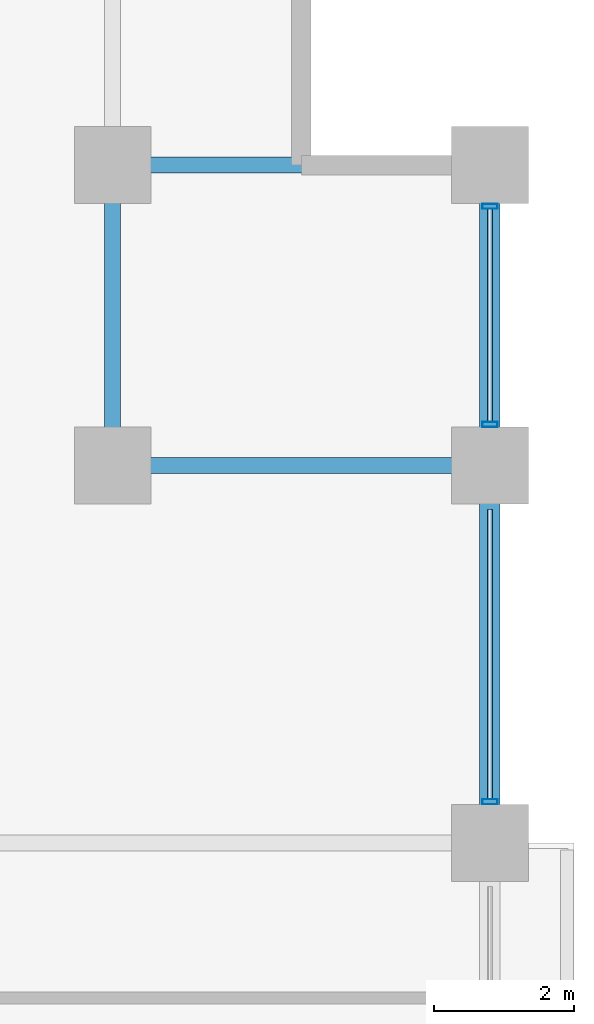
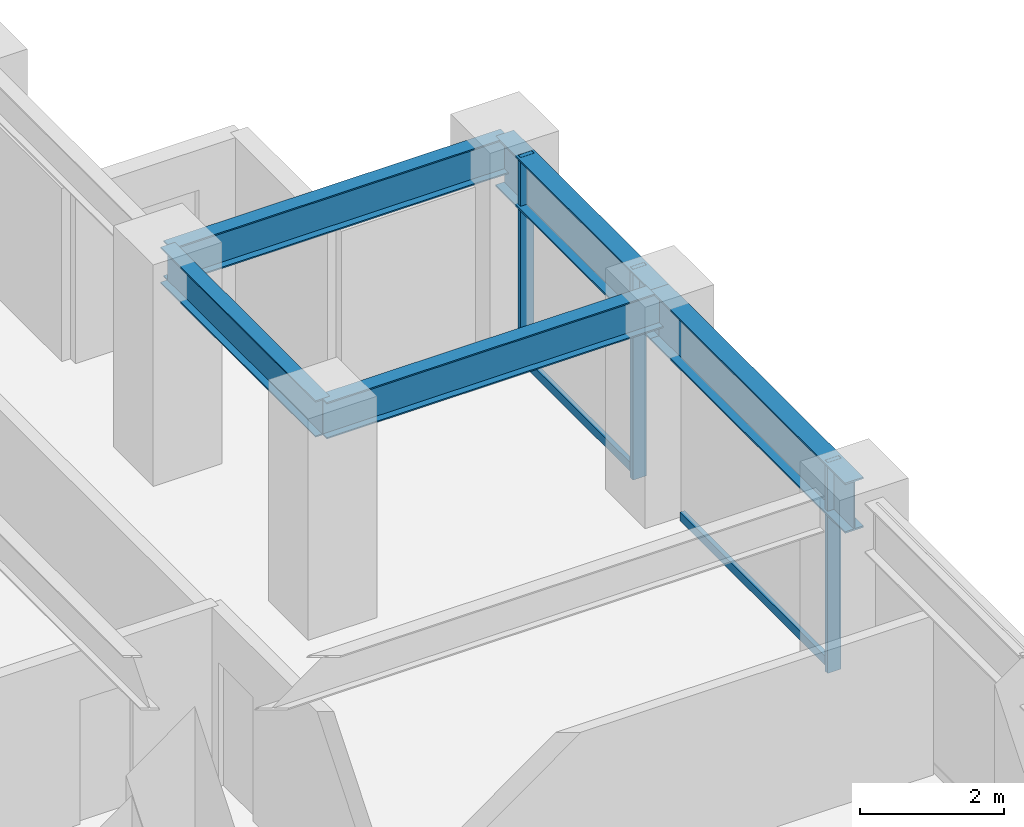
# One storey, part 15 of 24: 5 beams, 5 members, 1 element without a shape of its own.
"""IFC4 building model written with IfcOpenShell, lengths in metres."""

from ifc_helpers import new_model, si_unit, direction, frame, origin, origin_2d, place, context, subcontext, project, spatial, hollow_rectangle, i_section, extrude, material, layer, layer_set, material_profile, profile_set, type_object, element, aggregate, save


model = new_model("IFC4")

# Units and contexts
model_context = context("Model", 3, precision=1e-05, world=origin(), true_north=direction((0.0, 1.0)))
body_context = subcontext(model_context, "Body", "Model", "MODEL_VIEW")
ifc_project = project(units=[si_unit("LENGTHUNIT", "METRE"), si_unit("AREAUNIT", "SQUARE_METRE"), si_unit("VOLUMEUNIT", "CUBIC_METRE"), si_unit("PLANEANGLEUNIT", "RADIAN"), si_unit("MASSUNIT", "GRAM", prefix="KILO")], contexts=[model_context])

# Site, building, storey
site_placement = place(None, origin())
site = spatial("IfcSite", under=ifc_project, at=site_placement, CompositionType="ELEMENT")
building_placement = place(site_placement, origin())
building = spatial("IfcBuilding", under=site, at=building_placement, Name="Surkhivell Harbour Commons", CompositionType="ELEMENT")
storey_placement = place(building_placement, frame((0.0, 0.0, 105.75)))
storey = spatial("IfcBuildingStorey", under=building, at=storey_placement, Name="L27", CompositionType="ELEMENT", Elevation=105.75)

# Beams
ifc_material_1 = material(Name="Steel S355", Category="steel")
ifc_material_profile_1 = material_profile(ifc_material_1, i_section(OverallWidth=0.22998046875, OverallDepth=0.616943359375, WebThickness=0.01318359375, FlangeThickness=0.022216796875, at=origin_2d()), Name="UB610x229x140")
ifc_profile_set_1 = profile_set([ifc_material_profile_1], Name="Steel S355")
beam_type_1 = type_object("IfcBeamType", Name="BM-GRD-610B", PredefinedType="BEAM", material=ifc_profile_set_1)
beam_1_placement = place(storey_placement, frame((16.199951171875, 16.199951171875, 3.261474609375), z_axis=(0.0, 1.0, 0.0), x_axis=(-1.0, 0.0, 0.0)))
element("IfcBeam", 1, at=beam_1_placement, inside=storey, type_object=beam_type_1, Name="L27 Floor Girder (16.2,16.2)", PredefinedType="BEAM", context=body_context, shape_type="SweptSolid", body=[
    extrude(i_section(OverallWidth=0.22998046875, OverallDepth=0.616943359375, WebThickness=0.01318359375, FlangeThickness=0.022216796875, at=origin_2d()), origin(), (0.0, 0.0, 1.0), 4.300048828125),
])
for number, where, z_axis, x_axis, name in (
    (2, (16.199951171875, 16.199951171875, 3.261474609375), (1.0, 0.0, 0.0), (0.0, 1.0, 0.0), "L27 Floor Girder (16.2,16.2)"),
    (3, (16.199951171875, 20.5, 3.261474609375), (1.0, 0.0, 0.0), (0.0, 1.0, 0.0), "L27 Floor Girder (16.2,20.5)"),
):
    element("IfcBeam", number, at=place(storey_placement, frame(where, z_axis=z_axis, x_axis=x_axis)), inside=storey, type_object=beam_type_1, Name=name, PredefinedType="BEAM", context=body_context, shape_type="SweptSolid", body=[
        extrude(i_section(OverallWidth=0.22998046875, OverallDepth=0.616943359375, WebThickness=0.01318359375, FlangeThickness=0.022216796875, at=origin_2d()), origin(), (0.0, 0.0, 1.0), 5.400146484375),
    ])
ifc_material_2 = material(Name="Steel S460", Category="steel")
ifc_material_profile_2 = material_profile(ifc_material_2, i_section(OverallWidth=0.2939453125, OverallDepth=0.85107421875, WebThickness=0.01611328125, FlangeThickness=0.02685546875, at=origin_2d()), Name="UB838x292x226")
ifc_profile_set_2 = profile_set([ifc_material_profile_2], Name="Steel S460")
beam_type_2 = type_object("IfcBeamType", Name="BM-SPN-838", PredefinedType="SPANDREL", material=ifc_profile_set_2)
beam_2_placement = place(storey_placement, frame((21.60009765625, 10.800048828125, 3.14453125), z_axis=(0.0, 1.0, 0.0), x_axis=(-1.0, 0.0, 0.0)))
element("IfcBeam", 4, at=beam_2_placement, inside=storey, type_object=beam_type_2, Name="L27 Tube Spandrel (21.6,10.8)", PredefinedType="SPANDREL", context=body_context, shape_type="SweptSolid", body=[
    extrude(i_section(OverallWidth=0.2939453125, OverallDepth=0.85107421875, WebThickness=0.01611328125, FlangeThickness=0.02685546875, at=origin_2d()), origin(), (0.0, 0.0, 1.0), 5.39990234375),
])
beam_3_placement = place(storey_placement, frame((21.60009765625, 16.199951171875, 3.14453125), z_axis=(0.0, 1.0, 0.0), x_axis=(-1.0, 0.0, 0.0)))
element("IfcBeam", 5, at=beam_3_placement, inside=storey, type_object=beam_type_2, Name="L27 Tube Spandrel (21.6,16.2)", PredefinedType="SPANDREL", context=body_context, shape_type="SweptSolid", body=[
    extrude(i_section(OverallWidth=0.2939453125, OverallDepth=0.85107421875, WebThickness=0.01611328125, FlangeThickness=0.02685546875, at=origin_2d()), origin(), (0.0, 0.0, 1.0), 4.300048828125),
])

# Curtain wall, members
ifc_material_3 = material(Name="Anodised pale-metal aluminium and insulated glazing", Category="aluminium")
ifc_layer = layer(ifc_material_3, 0.205078125)
ifc_layer_set = layer_set([ifc_layer], Name="Anodised pale-metal aluminium and insulated glazing")
curtain_wall_type = type_object("IfcCurtainWallType", Name="CW-SYS-Z2", PredefinedType="NOTDEFINED", material=ifc_layer_set)
curtain_wall_placement = place(storey_placement, origin())
curtain_wall = element("IfcCurtainWall", 6, at=curtain_wall_placement, inside=storey, type_object=curtain_wall_type, Name="L27 Curtain Wall CW-L27-E02", PredefinedType="NOTDEFINED")
ifc_material_4 = material(Name="Anodised pale-metal aluminium alloy 6063-T6", Category="aluminium")
ifc_material_profile_3 = material_profile(ifc_material_4, hollow_rectangle(XDim=0.074951171875, YDim=0.219970703125, WallThickness=0.00390625, at=origin_2d()), Name="ALU-MULL-75x220")
ifc_profile_set_3 = profile_set([ifc_material_profile_3], Name="Anodised pale-metal aluminium alloy 6063-T6")
member_type_1 = type_object("IfcMemberType", Name="CWM-220", PredefinedType="MULLION", material=ifc_profile_set_3)
member_1_placement = place(storey_placement, frame((21.60009765625, 11.389404296875, 0.0), z_axis=(0.0, 0.0, 1.0), x_axis=(0.0, 1.0, 0.0)))
member_1 = element("IfcMember", 7, at=member_1_placement, type_object=member_type_1, Name="CW-Z2 mullion 4", PredefinedType="MULLION", context=body_context, shape_type="SweptSolid", body=[
    extrude(hollow_rectangle(XDim=0.074951171875, YDim=0.219970703125, WallThickness=0.00390625, at=origin_2d()), origin(), (0.0, 0.0, 1.0), 3.570068359375),
])
member_2_placement = place(storey_placement, frame((21.60009765625, 16.78955078125, 0.0), z_axis=(0.0, 0.0, 1.0), x_axis=(0.0, 1.0, 0.0)))
member_2 = element("IfcMember", 8, at=member_2_placement, type_object=member_type_1, Name="CW-Z2 mullion 5", PredefinedType="MULLION", context=body_context, shape_type="SweptSolid", body=[
    extrude(hollow_rectangle(XDim=0.074951171875, YDim=0.219970703125, WallThickness=0.00390625, at=origin_2d()), origin(), (0.0, 0.0, 1.0), 3.570068359375),
])
member_3_placement = place(storey_placement, frame((21.60009765625, 19.910400390625, 0.0), z_axis=(0.0, 0.0, 1.0), x_axis=(0.0, 1.0, 0.0)))
member_3 = element("IfcMember", 9, at=member_3_placement, type_object=member_type_1, Name="CW-Z2 mullion 6", PredefinedType="MULLION", context=body_context, shape_type="SweptSolid", body=[
    extrude(hollow_rectangle(XDim=0.074951171875, YDim=0.219970703125, WallThickness=0.00390625, at=origin_2d()), origin(), (0.0, 0.0, 1.0), 3.570068359375),
])
ifc_material_profile_4 = material_profile(ifc_material_4, hollow_rectangle(XDim=0.074951171875, YDim=0.14990234375, WallThickness=0.00341796875, at=origin_2d()), Name="ALU-TRAN-75x150")
ifc_profile_set_4 = profile_set([ifc_material_profile_4], Name="Anodised pale-metal aluminium alloy 6063-T6")
member_type_2 = type_object("IfcMemberType", Name="CWT-150", PredefinedType="USERDEFINED", material=ifc_profile_set_4)
member_4_placement = place(storey_placement, frame((21.60009765625, 11.427001953125, 0.074951171875), z_axis=(0.0, 1.0, 0.0), x_axis=(-1.0, 0.0, 0.0)))
member_4 = element("IfcMember", 10, at=member_4_placement, type_object=member_type_2, Name="CW-Z2 transom 4.1", ObjectType="TRANSOM", PredefinedType="USERDEFINED", context=body_context, shape_type="SweptSolid", body=[
    extrude(hollow_rectangle(XDim=0.074951171875, YDim=0.14990234375, WallThickness=0.00341796875, at=origin_2d()), origin(), (0.0, 0.0, 1.0), 4.14599609375),
])
member_5_placement = place(storey_placement, frame((21.60009765625, 16.826904296875, 0.074951171875), z_axis=(0.0, 1.0, 0.0), x_axis=(-1.0, 0.0, 0.0)))
member_5 = element("IfcMember", 11, at=member_5_placement, type_object=member_type_2, Name="CW-Z2 transom 5.1", ObjectType="TRANSOM", PredefinedType="USERDEFINED", context=body_context, shape_type="SweptSolid", body=[
    extrude(hollow_rectangle(XDim=0.074951171875, YDim=0.14990234375, WallThickness=0.00341796875, at=origin_2d()), origin(), (0.0, 0.0, 1.0), 3.046142578125),
])
aggregate(curtain_wall, [member_1, member_4, member_2, member_3, member_5])

save(model, "model.ifc")
